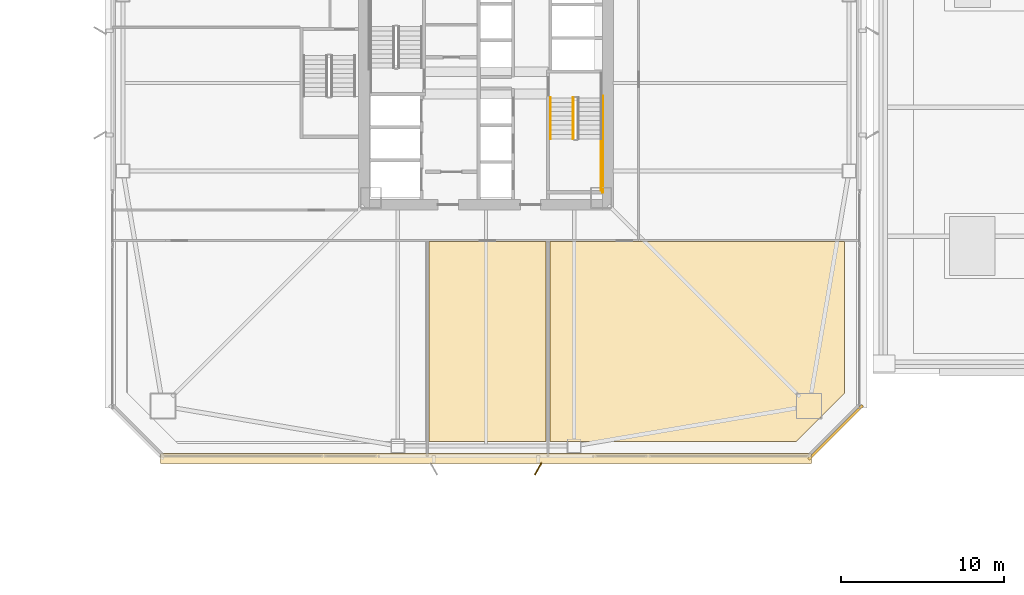
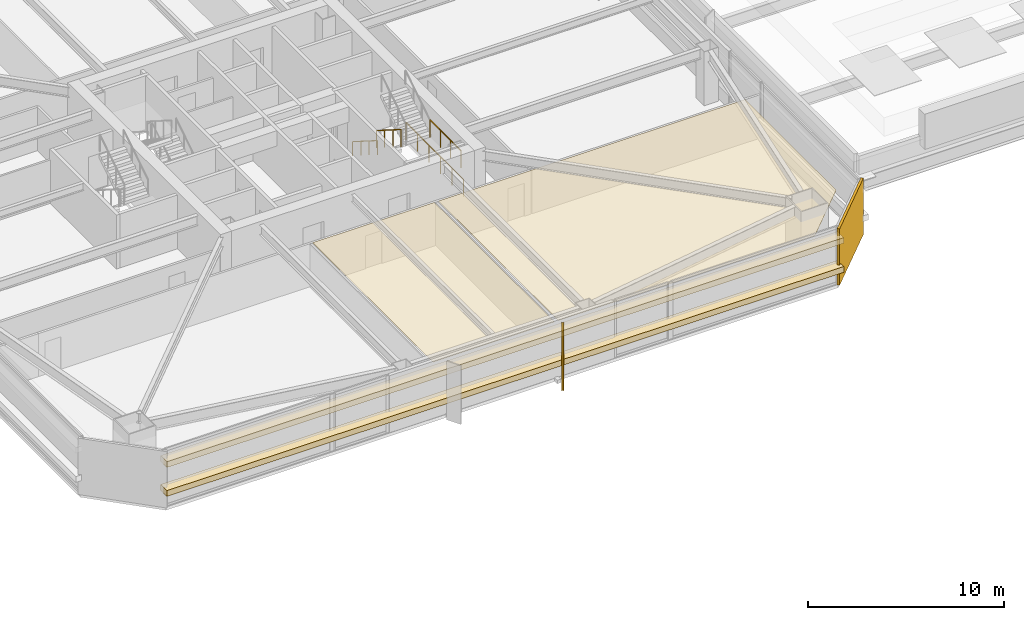
# One storey, part 53 of 62: 5 coverings, 4 railings, 1 shading device.
"""IFC4 building model written with IfcOpenShell, lengths in metres."""

from ifc_helpers import new_model, si_unit, direction, frame, origin, origin_2d, place, context, subcontext, project, spatial, polyline, rectangle, outline, extrude, material, layer, layer_set, type_object, element, save


model = new_model("IFC4")

# Units and contexts
model_context = context("Model", 3, precision=1e-05, world=origin(), true_north=direction((0.0, 1.0)))
body_context = subcontext(model_context, "Body", "Model", "MODEL_VIEW")
ifc_project = project(units=[si_unit("LENGTHUNIT", "METRE"), si_unit("AREAUNIT", "SQUARE_METRE"), si_unit("VOLUMEUNIT", "CUBIC_METRE"), si_unit("PLANEANGLEUNIT", "RADIAN"), si_unit("MASSUNIT", "GRAM", prefix="KILO")], contexts=[model_context])

# Site, building, storey
site_placement = place(None, origin())
site = spatial("IfcSite", under=ifc_project, at=site_placement, CompositionType="ELEMENT")
building_placement = place(site_placement, origin())
building = spatial("IfcBuilding", under=site, at=building_placement, Name="Tashvorn Skyway Center", CompositionType="ELEMENT")
storey_placement = place(building_placement, frame((0.0, 0.0, 28.14990234375)))
storey = spatial("IfcBuildingStorey", under=building, at=storey_placement, Name="L06", CompositionType="ELEMENT", Elevation=28.14990234375)

# Coverings
ifc_material_1 = material(Name="Mineral-fibre acoustic ceiling tile on suspended grid")
ifc_layer_1 = layer(ifc_material_1, 0.02001953125)
ifc_layer_set_1 = layer_set([ifc_layer_1], Name="Mineral-fibre acoustic ceiling tile on suspended grid")
covering_type_1 = type_object("IfcCoveringType", Name="COV-CEIL-20", PredefinedType="CEILING", material=ifc_layer_set_1)
covering_1_placement = place(storey_placement, frame((0.0, 0.0, 2.68310546875)))
element("IfcCovering", 1, at=covering_1_placement, inside=storey, type_object=covering_type_1, Name="Tower 1 L06 Catering Pantry Acoustic Ceiling", PredefinedType="CEILING", context=body_context, shape_type="SweptSolid", body=[
    extrude(outline(polyline([(38.52001953125, 22.2900390625), (45.679931640625, 22.2900390625), (45.679931640625, 10.02001953125), (38.52001953125, 10.02001953125), (38.52001953125, 22.2900390625)])), origin(), (0.0, 0.0, 1.0), 0.02001953125),
])
covering_2_placement = place(storey_placement, frame((0.0, 0.0, 2.68310546875)))
element("IfcCovering", 2, at=covering_2_placement, inside=storey, type_object=covering_type_1, Name="Tower 1 L06 Catering Pantry Acoustic Ceiling", PredefinedType="CEILING", context=body_context, shape_type="SweptSolid", body=[
    extrude(outline(polyline([(45.919921875, 10.02001953125), (45.919921875, 22.2900390625), (63.97998046875, 22.2900390625), (63.97998046875, 12.97998046875), (61.02001953125, 10.02001953125), (45.919921875, 10.02001953125)])), origin(), (0.0, 0.0, 1.0), 0.02001953125),
])
ifc_material_2 = material(Name="Perforated ceramic-coated bronze aluminium solar screen", Category="aluminium")
ifc_layer_2 = layer(ifc_material_2, 0.85009765625)
ifc_layer_set_2 = layer_set([ifc_layer_2], Name="Perforated ceramic-coated bronze aluminium solar screen")
covering_type_2 = type_object("IfcCoveringType", Name="COV-SOLAR-BAND", PredefinedType="CLADDING", material=ifc_layer_set_2)
for number, where, z_axis, x_axis, name in (
    (3, (42.0, 8.97998046875, 0.919921875), (0.0, 0.0, 1.0), (-1.0, 0.0, 0.0), "L06 Perforated Ceramic-Metal Solar Screen Louvre Band South 1"),
    (4, (42.0, 8.97998046875, 2.72021484375), (0.0, 0.0, 1.0), (-1.0, 0.0, 0.0), "L06 Perforated Ceramic-Metal Solar Screen Louvre Band South 2"),
):
    element("IfcCovering", number, at=place(storey_placement, frame(where, z_axis=z_axis, x_axis=x_axis)), inside=storey, type_object=covering_type_2, Name=name, PredefinedType="CLADDING", context=body_context, shape_type="SweptSolid", body=[
        extrude(rectangle(XDim=39.8798828125, YDim=0.639892578125, at=origin_2d()), origin(), (0.0, 0.0, 1.0), 0.360107421875),
    ])
ifc_material_3 = material(Name="Precast concrete C40/50", Category="concrete")
ifc_layer_3 = layer(ifc_material_3, 0.35009765625)
ifc_layer_set_3 = layer_set([ifc_layer_3], Name="Precast concrete C40/50")
covering_type_3 = type_object("IfcCoveringType", Name="COV-STONE-TRIM", PredefinedType="CLADDING", material=ifc_layer_set_3)
covering_3_placement = place(storey_placement, frame((63.419921875, 10.580078125, 0.02001953125), z_axis=(0.0, 0.0, 1.0), x_axis=(0.707106781187, 0.707106781187, 0.0)))
element("IfcCovering", 5, at=covering_3_placement, inside=storey, type_object=covering_type_3, Name="Tower 1 L06 SE Mojave Limestone Corner Quoin", PredefinedType="CLADDING", context=body_context, shape_type="SweptSolid", body=[
    extrude(rectangle(XDim=4.685546875, YDim=0.139892578125, at=origin_2d()), origin(), (0.0, 0.0, 1.0), 3.510009765625),
])

# Railings
ifc_material_4 = material(Name="Brushed stainless steel 316", Category="steel")
railing_type_1 = type_object("IfcRailingType", Name="RAIL-HAND-920", PredefinedType="HANDRAIL", material=ifc_material_4)
railing_1_placement = place(storey_placement, frame((45.949951171875, 31.080078125, 0.177490234375)))
element("IfcRailing", 6, at=railing_1_placement, inside=storey, type_object=railing_type_1, Name="L06 ST-T1-2 stair handrail 1", PredefinedType="HANDRAIL", context=body_context, shape_type="SweptSolid", body=[
    extrude(rectangle(XDim=0.048095703125, YDim=0.048095703125, at=origin_2d()), frame((0.0, 0.0, 0.8759765625), z_axis=(0.0, -0.84456994832, 0.535445237532), x_axis=(1.0, 0.0, 0.0)), (0.0, 0.0, 1.0), 2.98388671875),
    extrude(rectangle(XDim=0.0419921875, YDim=0.0419921875, at=origin_2d()), origin(), (0.0, 0.0, 1.0), 0.851806640625),
    extrude(rectangle(XDim=0.0419921875, YDim=0.0419921875, at=origin_2d()), frame((0.0, -0.840087890625, 0.532470703125)), (0.0, 0.0, 1.0), 0.851806640625),
    extrude(rectangle(XDim=0.0419921875, YDim=0.0419921875, at=origin_2d()), frame((0.0, -1.679931640625, 1.065185546875)), (0.0, 0.0, 1.0), 0.851806640625),
    extrude(rectangle(XDim=0.0419921875, YDim=0.0419921875, at=origin_2d()), frame((0.0, -2.52001953125, 1.59765625)), (0.0, 0.0, 1.0), 0.851806640625),
])
ifc_material_5 = material(Name="Painted galvanized steel S355", Category="steel")
railing_type_2 = type_object("IfcRailingType", Name="RAIL-STGUARD-1100", PredefinedType="GUARDRAIL", material=ifc_material_5)
railing_2_placement = place(storey_placement, frame((47.35009765625, 31.080078125, 0.177490234375)))
element("IfcRailing", 7, at=railing_2_placement, inside=storey, type_object=railing_type_2, Name="L06 ST-T1-2 stair guard 1", PredefinedType="GUARDRAIL", context=body_context, shape_type="SweptSolid", body=[
    extrude(rectangle(XDim=0.048095703125, YDim=0.048095703125, at=origin_2d()), frame((0.0, 0.0, 1.076171875), z_axis=(0.0, -0.84456994832, 0.535445237532), x_axis=(1.0, 0.0, 0.0)), (0.0, 0.0, 1.0), 2.98388671875),
    extrude(rectangle(XDim=0.0419921875, YDim=0.0419921875, at=origin_2d()), origin(), (0.0, 0.0, 1.0), 1.052001953125),
    extrude(rectangle(XDim=0.0419921875, YDim=0.0419921875, at=origin_2d()), frame((0.0, -0.840087890625, 0.532470703125)), (0.0, 0.0, 1.0), 1.052001953125),
    extrude(rectangle(XDim=0.0419921875, YDim=0.0419921875, at=origin_2d()), frame((0.0, -1.679931640625, 1.065185546875)), (0.0, 0.0, 1.0), 1.052001953125),
    extrude(rectangle(XDim=0.0419921875, YDim=0.0419921875, at=origin_2d()), frame((0.0, -2.52001953125, 1.59765625)), (0.0, 0.0, 1.0), 1.052001953125),
])
railing_3_placement = place(storey_placement, frame((49.050048828125, 28.56005859375, 1.775146484375)))
element("IfcRailing", 8, at=railing_3_placement, inside=storey, type_object=railing_type_2, Name="L06 ST-T1-2 stair guard 3", PredefinedType="GUARDRAIL", context=body_context, shape_type="SweptSolid", body=[
    extrude(rectangle(XDim=0.048095703125, YDim=0.048095703125, at=origin_2d()), frame((0.0, 0.0, 1.076171875), z_axis=(0.0, -1.0, 0.0), x_axis=(1.0, 0.0, 0.0)), (0.0, 0.0, 1.0), 3.16015625),
    extrude(rectangle(XDim=0.0419921875, YDim=0.0419921875, at=origin_2d()), origin(), (0.0, 0.0, 1.0), 1.052001953125),
    extrude(rectangle(XDim=0.0419921875, YDim=0.0419921875, at=origin_2d()), frame((0.0, -1.053466796875, 0.0)), (0.0, 0.0, 1.0), 1.052001953125),
    extrude(rectangle(XDim=0.0419921875, YDim=0.0419921875, at=origin_2d()), frame((0.0, -2.106689453125, 0.0)), (0.0, 0.0, 1.0), 1.052001953125),
    extrude(rectangle(XDim=0.0419921875, YDim=0.0419921875, at=origin_2d()), frame((0.0, -3.16015625, 0.0)), (0.0, 0.0, 1.0), 1.052001953125),
])
railing_4_placement = place(storey_placement, frame((49.14990234375, 31.179931640625, 0.0)))
element("IfcRailing", 9, at=railing_4_placement, inside=storey, type_object=railing_type_2, Name="L06 ST-T1-2 stair guard 7", PredefinedType="GUARDRAIL", context=body_context, shape_type="SweptSolid", body=[
    extrude(rectangle(XDim=0.048095703125, YDim=0.048095703125, at=origin_2d()), frame((0.0, 0.0, 1.076171875), z_axis=(0.0, -1.0, 0.0), x_axis=(1.0, 0.0, 0.0)), (0.0, 0.0, 1.0), 5.8798828125),
    extrude(rectangle(XDim=0.0419921875, YDim=0.0419921875, at=origin_2d()), origin(), (0.0, 0.0, 1.0), 1.052001953125),
    extrude(rectangle(XDim=0.0419921875, YDim=0.0419921875, at=origin_2d()), frame((0.0, -1.176025390625, 0.0)), (0.0, 0.0, 1.0), 1.052001953125),
    extrude(rectangle(XDim=0.0419921875, YDim=0.0419921875, at=origin_2d()), frame((0.0, -2.35205078125, 0.0)), (0.0, 0.0, 1.0), 1.052001953125),
    extrude(rectangle(XDim=0.0419921875, YDim=0.0419921875, at=origin_2d()), frame((0.0, -3.52783203125, 0.0)), (0.0, 0.0, 1.0), 1.052001953125),
    extrude(rectangle(XDim=0.0419921875, YDim=0.0419921875, at=origin_2d()), frame((0.0, -4.703857421875, 0.0)), (0.0, 0.0, 1.0), 1.052001953125),
    extrude(rectangle(XDim=0.0419921875, YDim=0.0419921875, at=origin_2d()), frame((0.0, -5.8798828125, 0.0)), (0.0, 0.0, 1.0), 1.052001953125),
])

# Shading device
ifc_layer_4 = layer(ifc_material_2, 0.06005859375)
ifc_layer_set_4 = layer_set([ifc_layer_4], Name="Perforated ceramic-coated bronze aluminium solar screen")
shading_device_type = type_object("IfcShadingDeviceType", Name="SHD-SOLAR-850", PredefinedType="USERDEFINED", material=ifc_layer_set_4)
shading_device_placement = place(storey_placement, frame((45.199951171875, 8.35009765625, -0.099853515625), z_axis=(0.0, 0.0, 1.0), x_axis=(-0.866025403784, 0.5, 0.0)))
element("IfcShadingDevice", 10, at=shading_device_placement, inside=storey, type_object=shading_device_type, Name="Tower 1 L06 Perforated Ceramic-Metal Solar Screen S2", ObjectType="SCREEN", PredefinedType="USERDEFINED", context=body_context, shape_type="SweptSolid", body=[
    extrude(rectangle(XDim=0.080078125, YDim=0.85009765625, at=origin_2d()), origin(), (0.0, 0.0, 1.0), 3.64990234375),
])

save(model, "model.ifc")
